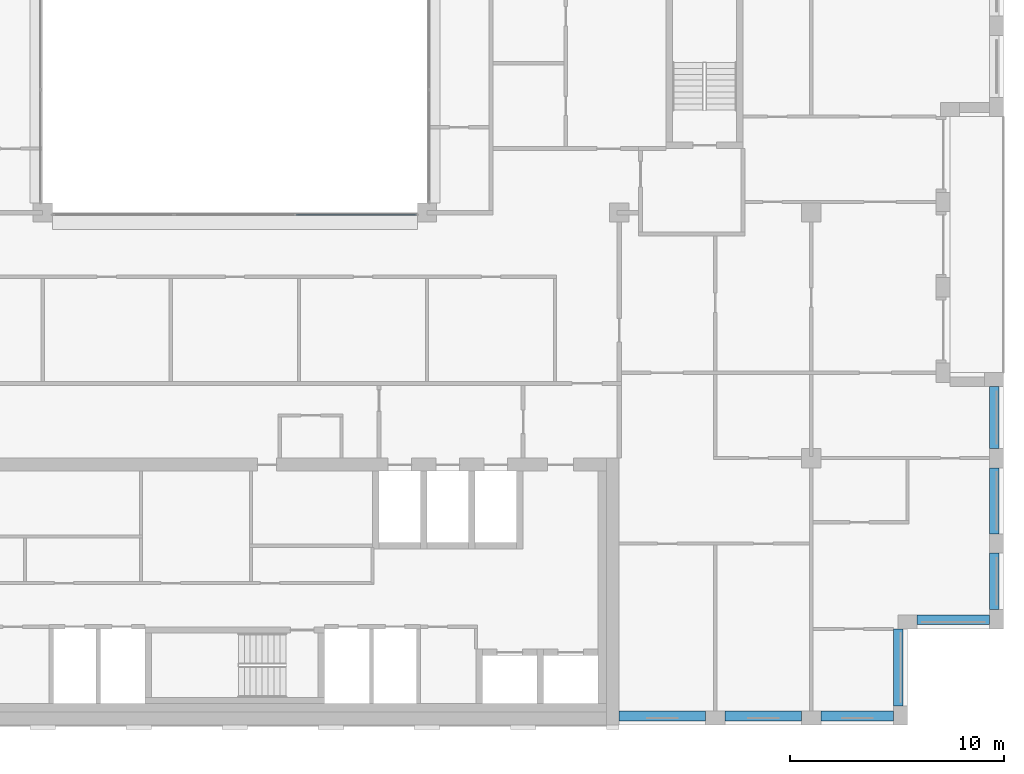
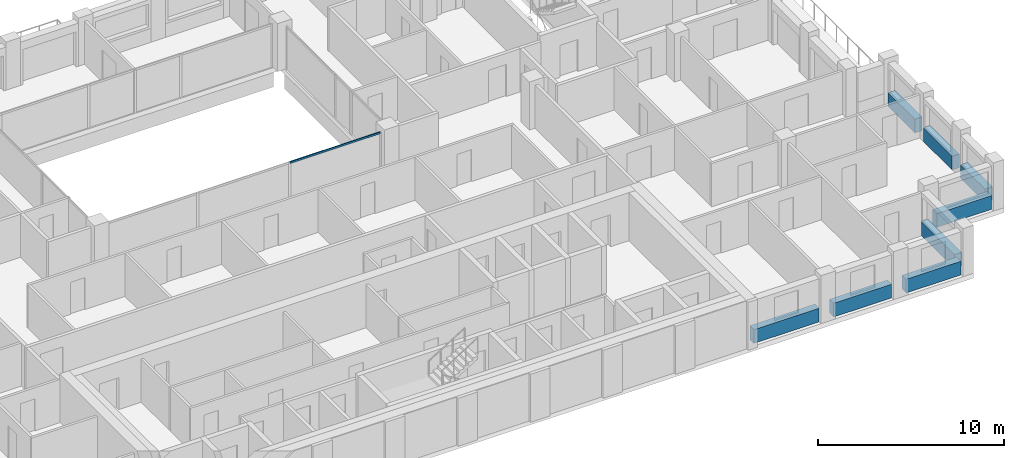
# One storey, part 3 of 16: 8 beams, 1 member, 1 element without a shape of its own.
"""IFC4 building model written with IfcOpenShell, lengths in metres."""

import ifcopenshell
import ifcopenshell.guid

model = None  # the IFC model being written
_history = None  # IfcOwnerHistory: only IFC2X3 demands one
_inside = {}  # id of a spatial element -> (the spatial element, [elements in it])
_under = {}  # id of a project, library or spatial element -> (it, [spatial elements below it])
_declared = {}  # id of a project -> (the project, [libraries it declares])
_typed = {}  # id of a type object -> (the type object, [elements of that type])
_made_of = {}  # id of a material, layer set ... -> (it, [elements and type objects made of it])


def new_model(schema):
    """Start an empty IFC model of exactly this schema.

    Asked for "IFC4X3", IfcOpenShell would pick the latest addendum, in which some entities
    have other attributes; the version numbers below select the first issue.
    IFC2X3 requires an IfcOwnerHistory on every rooted entity: one is made here for all.
    """
    global model, _history
    if schema == "IFC4X3":
        model = ifcopenshell.file(schema_version=(4, 3, 0, 0))
    else:
        model = ifcopenshell.file(schema=schema)
    _inside.clear()
    _under.clear()
    _declared.clear()
    _typed.clear()
    _made_of.clear()
    _history = None
    if model.schema == "IFC2X3":
        org = make("IfcOrganization", Name="unknown")
        user = make(
            "IfcPersonAndOrganization",
            ThePerson=make("IfcPerson", FamilyName="unknown"),
            TheOrganization=org,
        )
        app = make(
            "IfcApplication",
            ApplicationDeveloper=org,
            Version="unknown",
            ApplicationFullName="unknown",
            ApplicationIdentifier="unknown",
        )
        _history = make(
            "IfcOwnerHistory",
            OwningUser=user,
            OwningApplication=app,
            ChangeAction="ADDED",
            CreationDate=0,
        )
    return model


def make(cls, **values):
    """One entity of the class cls with the attributes given. An attribute that is None is left unset."""
    return model.create_entity(
        cls, **{name: value for name, value in values.items() if value is not None}
    )


def rooted(cls, **values):
    """An entity with a GlobalId (a new one), such as an element, a storey or a relation."""
    return make(cls, GlobalId=ifcopenshell.guid.new(), OwnerHistory=_history, **values)


def si_unit(unit_type, name, prefix=None):
    """IfcSIUnit, for example si_unit("LENGTHUNIT", "METRE", prefix="MILLI")."""
    return make("IfcSIUnit", UnitType=unit_type, Prefix=prefix, Name=name)


def assignment(units):
    """IfcUnitAssignment: the units of a project."""
    return None if units is None else make("IfcUnitAssignment", Units=units)


def point(xyz):
    """IfcCartesianPoint."""
    return None if xyz is None else make("IfcCartesianPoint", Coordinates=xyz)


def direction(xyz):
    """IfcDirection."""
    return None if xyz is None else make("IfcDirection", DirectionRatios=xyz)


def frame(location, z_axis=None, x_axis=None):
    """IfcAxis2Placement3D, a coordinate frame: its origin and axes. An axis left out is left unset."""
    return make(
        "IfcAxis2Placement3D",
        Location=point(location),
        Axis=direction(z_axis),
        RefDirection=direction(x_axis),
    )


def frame_2d(location, x_axis=None):
    """IfcAxis2Placement2D, a coordinate frame in the plane: its origin and x axis."""
    return make(
        "IfcAxis2Placement2D", Location=point(location), RefDirection=direction(x_axis)
    )


def origin():
    """The frame at (0, 0, 0) with its axes left unset."""
    return frame((0.0, 0.0, 0.0))


def origin_2d():
    """The frame at (0, 0) in the plane with its x axis left unset."""
    return frame_2d((0.0, 0.0))


def place(relative_to, where):
    """IfcLocalPlacement: puts the frame where relative to a parent placement (None: the world)."""
    return make(
        "IfcLocalPlacement", PlacementRelTo=relative_to, RelativePlacement=where
    )


def context(
    kind, dimensions, precision=None, world=None, true_north=None, identifier=None
):
    """IfcGeometricRepresentationContext, for example the 3D "Model" context."""
    return make(
        "IfcGeometricRepresentationContext",
        ContextIdentifier=identifier,
        ContextType=kind,
        CoordinateSpaceDimension=dimensions,
        Precision=precision,
        WorldCoordinateSystem=world,
        TrueNorth=true_north,
    )


def subcontext(parent, identifier, kind, view, scale=None):
    """IfcGeometricRepresentationSubContext, for example "Body" below "Model"."""
    return make(
        "IfcGeometricRepresentationSubContext",
        ContextIdentifier=identifier,
        ContextType=kind,
        ParentContext=parent,
        TargetScale=scale,
        TargetView=view,
    )


def project(units=None, contexts=None):
    """IfcProject with its units and contexts."""
    return rooted(
        "IfcProject",
        Name="project",
        RepresentationContexts=contexts,
        UnitsInContext=assignment(units),
    )


def spatial(cls, under=None, at=None, **own):
    """A site, building, storey or space (cls), placed at a placement, below another one or the project."""
    s = rooted(cls, ObjectPlacement=at, **own)
    if under is not None:
        _under.setdefault(under.id(), (under, []))[1].append(s)
    return s


def profile(cls, at=None, kind="AREA", **sizes):
    """A parametric profile (cls). Its sizes go by their IFC names, for example OverallWidth=200.0."""
    return make(cls, ProfileType=kind, Position=at, **sizes)


def rectangle(**sizes):
    """IfcRectangleProfileDef."""
    return profile("IfcRectangleProfileDef", **sizes)


def extrude(swept, where, along, depth):
    """IfcExtrudedAreaSolid: the profile swept, set in the frame where, extruded along a direction by depth."""
    return make(
        "IfcExtrudedAreaSolid",
        SweptArea=swept,
        Position=where,
        ExtrudedDirection=direction(along),
        Depth=depth,
    )


def shape(context_of_items, identifier, shape_type, items):
    """IfcShapeRepresentation: the items that make up one representation, for example the "Body"."""
    return make(
        "IfcShapeRepresentation",
        ContextOfItems=context_of_items,
        RepresentationIdentifier=identifier,
        RepresentationType=shape_type,
        Items=items,
    )


def material(Name=None, Category=None):
    """IfcMaterial."""
    return make("IfcMaterial", Name=Name, Category=Category)


def layer(
    of_material, thickness, ventilated=None, Name=None, Category=None, Priority=None
):
    """IfcMaterialLayer: one layer of a wall or slab, of a material (None: an air gap)."""
    return make(
        "IfcMaterialLayer",
        Material=of_material,
        LayerThickness=thickness,
        IsVentilated=ventilated,
        Name=Name,
        Category=Category,
        Priority=Priority,
    )


def layer_set(layers, Name=None):
    """IfcMaterialLayerSet."""
    return make("IfcMaterialLayerSet", MaterialLayers=layers, LayerSetName=Name)


def material_profile(
    of_material, cross_section, Name=None, Category=None, Priority=None
):
    """IfcMaterialProfile: a cross section and its material."""
    return make(
        "IfcMaterialProfile",
        Name=Name,
        Material=of_material,
        Profile=cross_section,
        Priority=Priority,
        Category=Category,
    )


def profile_set(profiles, Name=None, composite=None):
    """IfcMaterialProfileSet."""
    return make(
        "IfcMaterialProfileSet",
        Name=Name,
        MaterialProfiles=profiles,
        CompositeProfile=composite,
    )


def made_of(thing, what):
    """Note that an element or type object is made of a material, layer set ...; save() writes the relation."""
    if what is not None:
        _made_of.setdefault(what.id(), (what, []))[1].append(thing)
    return thing


def type_object(cls, material=None, **own):
    """A type object (cls), such as IfcWallType, which elements share."""
    return made_of(rooted(cls, **own), material)


def element(
    cls,
    number,
    at=None,
    inside=None,
    cuts=None,
    type_object=None,
    material=None,
    context=None,
    identifier="Body",
    shape_type=None,
    held_by="IfcProductDefinitionShape",
    body=None,
    shapes=None,
    **own,
):
    """One element of the class cls, such as IfcWall. Its Tag is "e" and its number.

    at: its placement. inside: the storey or other place that contains it. cuts: it is an
    opening in that element (IfcRelVoidsElement). A single representation is given by context,
    identifier, shape_type and body (its items); several are given by shapes. held_by: the class
    of the entity that holds the representations. save() writes the other relations.
    """
    e = rooted(cls, Tag="e%d" % number, ObjectPlacement=at, **own)
    if body is not None:
        shapes = [shape(context, identifier, shape_type, body)]
    if shapes is not None:
        e.Representation = make(held_by, Representations=shapes)
    if inside is not None:
        _inside.setdefault(inside.id(), (inside, []))[1].append(e)
    if cuts is not None:
        rooted(
            "IfcRelVoidsElement", RelatingBuildingElement=cuts, RelatedOpeningElement=e
        )
    if type_object is not None:
        _typed.setdefault(type_object.id(), (type_object, []))[1].append(e)
    return made_of(e, material)


def aggregate(whole, parts):
    """IfcRelAggregates: a whole, such as a stair, and the parts it consists of."""
    return rooted("IfcRelAggregates", RelatingObject=whole, RelatedObjects=parts)


def save(model, path):
    """Write the relations noted so far, then the file.

    IfcRelAggregates (storeys below a building ...), IfcRelContainedInSpatialStructure (elements
    in a storey), IfcRelDefinesByType, IfcRelAssociatesMaterial and IfcRelDeclares: one each for
    every whole, place, type object, material and project.
    """
    for whole, parts in _under.values():
        aggregate(whole, parts)
    for where, things in _inside.values():
        rooted(
            "IfcRelContainedInSpatialStructure",
            RelatedElements=things,
            RelatingStructure=where,
        )
    for kind, things in _typed.values():
        rooted("IfcRelDefinesByType", RelatedObjects=things, RelatingType=kind)
    for what, things in _made_of.values():
        rooted("IfcRelAssociatesMaterial", RelatedObjects=things, RelatingMaterial=what)
    for by, libraries in _declared.values():
        rooted("IfcRelDeclares", RelatingContext=by, RelatedDefinitions=libraries)
    model.write(path)


model = new_model("IFC4")

# Units and contexts
model_context = context("Model", 3, precision=1e-05, world=origin(), true_north=direction((0.0, 1.0)))
body_context = subcontext(model_context, "Body", "Model", "MODEL_VIEW")
ifc_project = project(units=[si_unit("LENGTHUNIT", "METRE"), si_unit("AREAUNIT", "SQUARE_METRE"), si_unit("VOLUMEUNIT", "CUBIC_METRE"), si_unit("PLANEANGLEUNIT", "RADIAN"), si_unit("MASSUNIT", "GRAM", prefix="KILO")], contexts=[model_context])

# Site, building, storey
site_placement = place(None, origin())
site = spatial("IfcSite", under=ifc_project, at=site_placement, CompositionType="ELEMENT")
building_placement = place(site_placement, origin())
building = spatial("IfcBuilding", under=site, at=building_placement, Name="Brigalow Station Residences", CompositionType="ELEMENT")
storey_placement = place(building_placement, frame((0.0, 0.0, 201.14990234375)))
storey = spatial("IfcBuildingStorey", under=building, at=storey_placement, Name="L57", CompositionType="ELEMENT", Elevation=201.14990234375)

# Curtain wall, member
ifc_material_1 = material(Name="Aluminium", Category="aluminium")
ifc_layer = layer(ifc_material_1, 0.14990234375)
ifc_layer_set = layer_set([ifc_layer], Name="ATRIUM FIRE-RATED GLAZING CURTAIN WALL")
curtain_wall_type = type_object("IfcCurtainWallType", Name="ATRIUM FIRE-RATED GLAZING CURTAIN WALL", PredefinedType="NOTDEFINED", material=ifc_layer_set)
curtain_wall_placement = place(storey_placement, origin())
curtain_wall = element("IfcCurtainWall", 1, at=curtain_wall_placement, inside=storey, type_object=curtain_wall_type, Name="L57/cw/atrium-S", PredefinedType="NOTDEFINED")
ifc_material_2 = material(Name="Aluminium", Category="aluminium")
ifc_material_profile_1 = material_profile(ifc_material_2, rectangle(XDim=0.06005859375, YDim=0.1201171875, at=origin_2d()), Name="ATRIUM FIRE-RATED GLAZING TRANSOM 60x120")
ifc_profile_set_1 = profile_set([ifc_material_profile_1], Name="Aluminium")
member_type = type_object("IfcMemberType", Name="ATRIUM FIRE-RATED GLAZING TRANSOM 60x120", PredefinedType="USERDEFINED", material=ifc_profile_set_1)
member_placement = place(storey_placement, frame((38.8798828125, 23.89990234375, 2.800048828125), z_axis=(1.0, 0.0, 0.0), x_axis=(0.0, 1.0, 0.0)))
member = element("IfcMember", 2, at=member_placement, type_object=member_type, Name="L57/cw/atrium-S/T02-00", ObjectType="TRANSOM", PredefinedType="USERDEFINED", context=body_context, shape_type="SweptSolid", body=[
    extrude(rectangle(XDim=0.06005859375, YDim=0.1201171875, at=origin_2d()), origin(), (0.0, 0.0, 1.0), 5.610107421875),
])
aggregate(curtain_wall, [member])

# Beams
ifc_material_3 = material(Name="Concrete C50", Category="concrete")
ifc_material_profile_2 = material_profile(ifc_material_3, rectangle(XDim=0.449951171875, YDim=0.89990234375, at=origin_2d()), Name="RC450x900")
ifc_profile_set_2 = profile_set([ifc_material_profile_2], Name="Concrete C50")
beam_type = type_object("IfcBeamType", Name="SPANDREL BEAM 450x900 C50", PredefinedType="SPANDREL", material=ifc_profile_set_2)
beam_1_placement = place(storey_placement, frame((54.0, 0.425048828125, 0.4501953125), z_axis=(1.0, 0.0, 0.0), x_axis=(0.0, 1.0, 0.0)))
element("IfcBeam", 3, at=beam_1_placement, inside=storey, type_object=beam_type, Name="L57/spandrel/W-L57-3", PredefinedType="SPANDREL", context=body_context, shape_type="SweptSolid", body=[
    extrude(rectangle(XDim=0.449951171875, YDim=0.89990234375, at=origin_2d()), origin(), (0.0, 0.0, 1.0), 4.050048828125),
])
beam_2_placement = place(storey_placement, frame((58.949951171875, 0.425048828125, 0.4501953125), z_axis=(1.0, 0.0, 0.0), x_axis=(0.0, 1.0, 0.0)))
element("IfcBeam", 4, at=beam_2_placement, inside=storey, type_object=beam_type, Name="L57/spandrel/W-L57-4", PredefinedType="SPANDREL", context=body_context, shape_type="SweptSolid", body=[
    extrude(rectangle(XDim=0.449951171875, YDim=0.89990234375, at=origin_2d()), origin(), (0.0, 0.0, 1.0), 3.60009765625),
])
beam_3_placement = place(storey_placement, frame((63.449951171875, 0.425048828125, 0.4501953125), z_axis=(1.0, 0.0, 0.0), x_axis=(0.0, 1.0, 0.0)))
element("IfcBeam", 5, at=beam_3_placement, inside=storey, type_object=beam_type, Name="L57/spandrel/W-L57-5", PredefinedType="SPANDREL", context=body_context, shape_type="SweptSolid", body=[
    extrude(rectangle(XDim=0.449951171875, YDim=0.89990234375, at=origin_2d()), origin(), (0.0, 0.0, 1.0), 3.400146484375),
])
beam_4_placement = place(storey_placement, frame((67.074951171875, 0.89990234375, 0.4501953125), z_axis=(0.0, 1.0, 0.0), x_axis=(-1.0, 0.0, 0.0)))
element("IfcBeam", 6, at=beam_4_placement, inside=storey, type_object=beam_type, Name="L57/spandrel/W-L57-6", PredefinedType="SPANDREL", context=body_context, shape_type="SweptSolid", body=[
    extrude(rectangle(XDim=0.449951171875, YDim=0.89990234375, at=origin_2d()), origin(), (0.0, 0.0, 1.0), 3.60009765625),
])
beam_5_placement = place(storey_placement, frame((67.949951171875, 4.925048828125, 0.4501953125), z_axis=(1.0, 0.0, 0.0), x_axis=(0.0, 1.0, 0.0)))
element("IfcBeam", 7, at=beam_5_placement, inside=storey, type_object=beam_type, Name="L57/spandrel/W-L57-7", PredefinedType="SPANDREL", context=body_context, shape_type="SweptSolid", body=[
    extrude(rectangle(XDim=0.449951171875, YDim=0.89990234375, at=origin_2d()), origin(), (0.0, 0.0, 1.0), 3.400146484375),
])
beam_6_placement = place(storey_placement, frame((71.574951171875, 5.39990234375, 0.4501953125), z_axis=(0.0, 1.0, 0.0), x_axis=(-1.0, 0.0, 0.0)))
element("IfcBeam", 8, at=beam_6_placement, inside=storey, type_object=beam_type, Name="L57/spandrel/W-L57-8", PredefinedType="SPANDREL", context=body_context, shape_type="SweptSolid", body=[
    extrude(rectangle(XDim=0.449951171875, YDim=0.89990234375, at=origin_2d()), origin(), (0.0, 0.0, 1.0), 2.650146484375),
])
beam_7_placement = place(storey_placement, frame((71.574951171875, 8.949951171875, 0.4501953125), z_axis=(0.0, 1.0, 0.0), x_axis=(-1.0, 0.0, 0.0)))
element("IfcBeam", 9, at=beam_7_placement, inside=storey, type_object=beam_type, Name="L57/spandrel/W-L57-9", PredefinedType="SPANDREL", context=body_context, shape_type="SweptSolid", body=[
    extrude(rectangle(XDim=0.449951171875, YDim=0.89990234375, at=origin_2d()), origin(), (0.0, 0.0, 1.0), 3.10009765625),
])
beam_8_placement = place(storey_placement, frame((71.574951171875, 12.949951171875, 0.4501953125), z_axis=(0.0, 1.0, 0.0), x_axis=(-1.0, 0.0, 0.0)))
element("IfcBeam", 10, at=beam_8_placement, inside=storey, type_object=beam_type, Name="L57/spandrel/W-L57-10", PredefinedType="SPANDREL", context=body_context, shape_type="SweptSolid", body=[
    extrude(rectangle(XDim=0.449951171875, YDim=0.89990234375, at=origin_2d()), origin(), (0.0, 0.0, 1.0), 2.900146484375),
])

save(model, "model.ifc")
